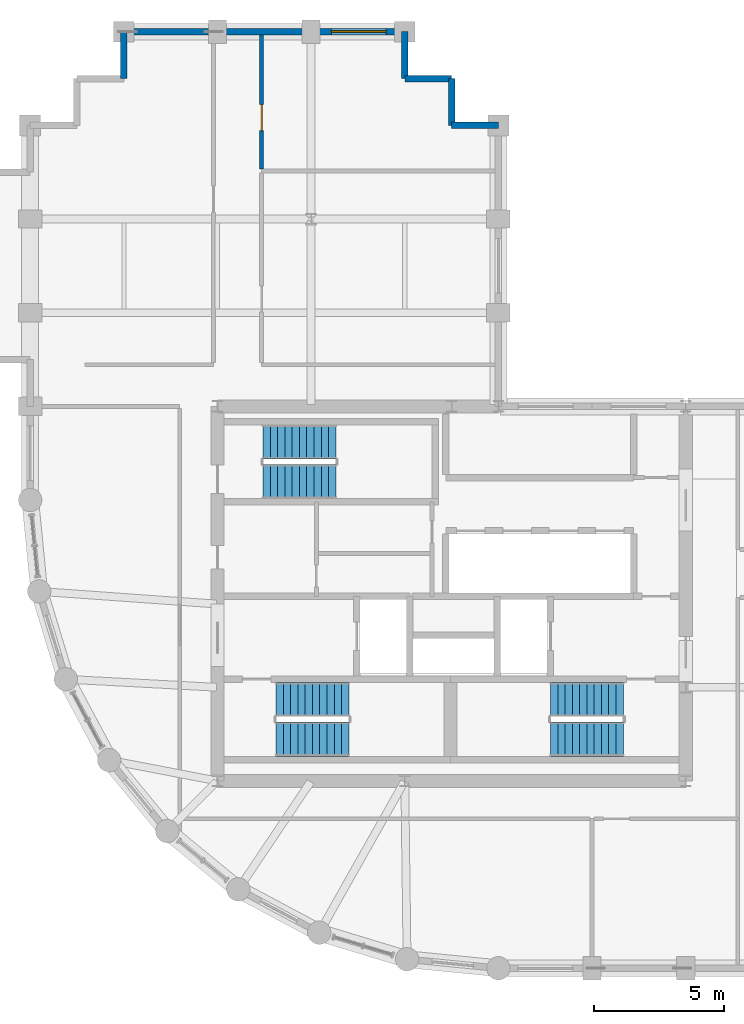
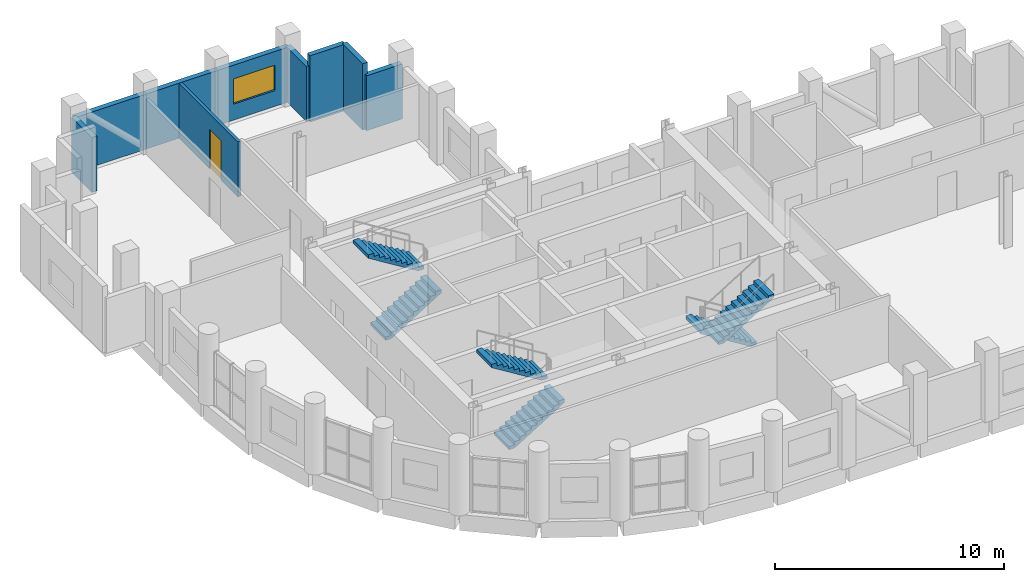
# One storey, part 11 of 12: 9 walls, 6 stair flights, 1 door, 1 window, 2 openings, 3 elements without a shape of their own.
"""IFC4 building model written with IfcOpenShell, lengths in metres."""

from ifc_helpers import new_model, si_unit, direction, frame, frame_2d, origin, place, context, subcontext, project, spatial, polyline, rectangle, outline, extrude, material, layer, layer_set, type_object, element, fill, aggregate, save


model = new_model("IFC4")

# Units and contexts
model_context = context("Model", 3, precision=1e-05, world=origin(), true_north=direction((0.0, 1.0)))
body_context = subcontext(model_context, "Body", "Model", "MODEL_VIEW")
ifc_project = project(units=[si_unit("LENGTHUNIT", "METRE"), si_unit("AREAUNIT", "SQUARE_METRE"), si_unit("VOLUMEUNIT", "CUBIC_METRE"), si_unit("PLANEANGLEUNIT", "RADIAN"), si_unit("MASSUNIT", "GRAM", prefix="KILO")], contexts=[model_context])

# Site, building, storey
site_placement = place(None, origin())
site = spatial("IfcSite", under=ifc_project, at=site_placement, CompositionType="ELEMENT")
building_placement = place(site_placement, origin())
building = spatial("IfcBuilding", under=site, at=building_placement, Name="Solnavia Interchange Tower", CompositionType="ELEMENT")
storey_placement = place(building_placement, frame((0.0, 0.0, 193.800048828125)))
storey = spatial("IfcBuildingStorey", under=building, at=storey_placement, Name="L48", CompositionType="ELEMENT", Elevation=193.800048828125)

# Walls
ifc_material_1 = material(Name="Concrete C40/50", Category="concrete")
ifc_layer_1 = layer(ifc_material_1, 0.25)
ifc_layer_set_1 = layer_set([ifc_layer_1], Name="Concrete C40/50")
wall_type_1 = type_object("IfcWallType", Name="Wall-ExtSpandrel-250", PredefinedType="STANDARD", material=ifc_layer_set_1)
wall_1_placement = place(storey_placement, frame((23.39990234375, 36.0, 0.0), z_axis=(0.0, 0.0, 1.0), x_axis=(1.0, 0.0, 0.0)))
element("IfcWall", 1, at=wall_1_placement, inside=storey, type_object=wall_type_1, Name="EXW-L48-28 Exterior precast spandrel wall", PredefinedType="STANDARD", context=body_context, shape_type="SweptSolid", body=[
    extrude(rectangle(XDim=1.800048828125, YDim=0.25, at=frame_2d((0.89990234375, 0.0))), origin(), (0.0, 0.0, 1.0), 2.929931640625),
])
wall_2_placement = place(storey_placement, frame((23.39990234375, 36.0, 0.0), z_axis=(0.0, 0.0, 1.0), x_axis=(0.0, 1.0, 0.0)))
element("IfcWall", 2, at=wall_2_placement, inside=storey, type_object=wall_type_1, Name="EXW-L48-29 Exterior precast spandrel wall", PredefinedType="STANDARD", context=body_context, shape_type="SweptSolid", body=[
    extrude(rectangle(XDim=1.800048828125, YDim=0.25, at=frame_2d((0.89990234375, 0.0))), origin(), (0.0, 0.0, 1.0), 3.534912109375),
])
wall_3_placement = place(storey_placement, frame((21.60009765625, 37.800048828125, 0.0), z_axis=(0.0, 0.0, 1.0), x_axis=(1.0, 0.0, 0.0)))
element("IfcWall", 3, at=wall_3_placement, inside=storey, type_object=wall_type_1, Name="EXW-L48-30 Exterior precast spandrel wall", PredefinedType="STANDARD", context=body_context, shape_type="SweptSolid", body=[
    extrude(rectangle(XDim=1.7998046875, YDim=0.25, at=frame_2d((0.89990234375, 0.0))), origin(), (0.0, 0.0, 1.0), 3.534912109375),
])
wall_4_placement = place(storey_placement, frame((21.60009765625, 37.800048828125, 0.0), z_axis=(0.0, 0.0, 1.0), x_axis=(0.0, 1.0, 0.0)))
element("IfcWall", 4, at=wall_4_placement, inside=storey, type_object=wall_type_1, Name="EXW-L48-31 Exterior precast spandrel wall", PredefinedType="STANDARD", context=body_context, shape_type="SweptSolid", body=[
    extrude(rectangle(XDim=1.800048828125, YDim=0.25, at=frame_2d((0.89990234375, 0.0))), origin(), (0.0, 0.0, 1.0), 2.929931640625),
])

# Wall, opening, window
wall_5_placement = place(storey_placement, frame((18.0, 39.60009765625, 0.0), z_axis=(0.0, 0.0, 1.0), x_axis=(1.0, 0.0, 0.0)))
wall_5 = element("IfcWall", 5, at=wall_5_placement, inside=storey, type_object=wall_type_1, Name="EXW-L48-32 Exterior precast spandrel wall", PredefinedType="STANDARD", context=body_context, shape_type="SweptSolid", body=[
    extrude(rectangle(XDim=3.60009765625, YDim=0.25, at=frame_2d((1.800048828125, 0.0))), origin(), (0.0, 0.0, 1.0), 2.929931640625),
])
opening_1_placement = place(wall_5_placement, frame((0.77490234375, 0.0, 0.85009765625)))
opening_1 = element("IfcOpeningElement", 6, at=opening_1_placement, cuts=wall_5, Name="Opening WIN-01", PredefinedType="OPENING", context=body_context, shape_type="SweptSolid", body=[
    extrude(rectangle(XDim=2.10009765625, YDim=1.35009765625, at=frame_2d((1.050048828125, 0.675048828125))), frame((0.0, 0.135009765625, 0.0), z_axis=(0.0, -1.0, 0.0), x_axis=(1.0, 0.0, 0.0)), (0.0, 0.0, 1.0), 0.27001953125),
])
ifc_material_2 = material(Name="Thermal-Break Aluminium & Low-E Glass", Category="aluminium")
window_type = type_object("IfcWindowType", Name="Window-Ribbon-2100x1350", PartitioningType="SINGLE_PANEL", PredefinedType="WINDOW", material=ifc_material_2)
window_placement = place(opening_1_placement, origin())
window = element("IfcWindow", 7, at=window_placement, inside=storey, type_object=window_type, Name="WIN-L48-32 Facade ribbon window", OverallHeight=1.35009765625, OverallWidth=2.10009765625, PartitioningType="SINGLE_PANEL", PredefinedType="WINDOW", context=body_context, shape_type="SweptSolid", body=[
    extrude(rectangle(XDim=2.10009765625, YDim=1.35009765625, at=frame_2d((1.050048828125, 0.675048828125))), frame((0.0, 0.030029296875, 0.0), z_axis=(0.0, -1.0, 0.0), x_axis=(1.0, 0.0, 0.0)), (0.0, 0.0, 1.0), 0.06005859375),
])
fill(opening_1, window)

# Walls
wall_6_placement = place(storey_placement, frame((14.39990234375, 39.60009765625, 0.0), z_axis=(0.0, 0.0, 1.0), x_axis=(1.0, 0.0, 0.0)))
element("IfcWall", 8, at=wall_6_placement, inside=storey, type_object=wall_type_1, Name="EXW-L48-33 Exterior precast spandrel wall", PredefinedType="STANDARD", context=body_context, shape_type="SweptSolid", body=[
    extrude(rectangle(XDim=3.60009765625, YDim=0.25, at=frame_2d((1.800048828125, 0.0))), origin(), (0.0, 0.0, 1.0), 2.929931640625),
])
wall_7_placement = place(storey_placement, frame((10.800048828125, 39.60009765625, 0.0), z_axis=(0.0, 0.0, 1.0), x_axis=(1.0, 0.0, 0.0)))
element("IfcWall", 9, at=wall_7_placement, inside=storey, type_object=wall_type_1, Name="EXW-L48-34 Exterior precast spandrel wall", PredefinedType="STANDARD", context=body_context, shape_type="SweptSolid", body=[
    extrude(rectangle(XDim=3.599853515625, YDim=0.25, at=frame_2d((1.7998046875, 0.0))), origin(), (0.0, 0.0, 1.0), 2.929931640625),
])
wall_8_placement = place(storey_placement, frame((10.800048828125, 37.800048828125, 0.0), z_axis=(0.0, 0.0, 1.0), x_axis=(0.0, 1.0, 0.0)))
element("IfcWall", 10, at=wall_8_placement, inside=storey, type_object=wall_type_1, Name="EXW-L48-35 Exterior precast spandrel wall", PredefinedType="STANDARD", context=body_context, shape_type="SweptSolid", body=[
    extrude(rectangle(XDim=1.800048828125, YDim=0.25, at=frame_2d((0.89990234375, 0.0))), origin(), (0.0, 0.0, 1.0), 2.929931640625),
])

# Wall, opening, door
ifc_material_3 = material(Name="Gypsum Plasterboard & Steel Stud", Category="steel")
ifc_layer_2 = layer(ifc_material_3, 0.14990234375)
ifc_layer_set_2 = layer_set([ifc_layer_2], Name="Gypsum Plasterboard & Steel Stud")
wall_type_2 = type_object("IfcWallType", Name="Wall-Partition-150", PredefinedType="PARTITIONING", material=ifc_layer_set_2)
wall_9_placement = place(storey_placement, frame((16.10009765625, 34.3291015625, 0.0), z_axis=(0.0, 0.0, 1.0), x_axis=(0.0, 1.0, 0.0)))
wall_9 = element("IfcWall", 11, at=wall_9_placement, inside=storey, type_object=wall_type_2, Name="PTW-L48-22 Interior partition wall", PredefinedType="PARTITIONING", context=body_context, shape_type="SweptSolid", body=[
    extrude(rectangle(XDim=5.141845703125, YDim=0.14990234375, at=frame_2d((2.57080078125, 0.0))), origin(), (0.0, 0.0, 1.0), 2.929931640625),
])
opening_2_placement = place(wall_9_placement, frame((1.465087890625, 0.0, 0.0)))
opening_2 = element("IfcOpeningElement", 12, at=opening_2_placement, cuts=wall_9, Name="Opening DR-07", PredefinedType="OPENING", context=body_context, shape_type="SweptSolid", body=[
    extrude(rectangle(XDim=1.0, YDim=2.10009765625, at=frame_2d((0.5, 1.050048828125))), frame((0.0, 0.0849609375, 0.0), z_axis=(0.0, -1.0, 0.0), x_axis=(1.0, 0.0, 0.0)), (0.0, 0.0, 1.0), 0.169921875),
])
ifc_material_4 = material(Name="Timber & Acoustic Glazed Office Door", Category="wood")
door_type = type_object("IfcDoorType", Name="Door-Office-1000x2100", OperationType="SINGLE_SWING_RIGHT", PredefinedType="DOOR", material=ifc_material_4)
door_placement = place(opening_2_placement, origin())
door = element("IfcDoor", 13, at=door_placement, inside=storey, type_object=door_type, Name="DR-L48-10 Interior room door", OperationType="SINGLE_SWING_LEFT", OverallHeight=2.10009765625, OverallWidth=1.0, PredefinedType="DOOR", context=body_context, shape_type="SweptSolid", body=[
    extrude(rectangle(XDim=1.0, YDim=2.10009765625, at=frame_2d((0.5, 1.050048828125))), frame((0.0, 0.02490234375, 0.0), z_axis=(0.0, -1.0, 0.0), x_axis=(1.0, 0.0, 0.0)), (0.0, 0.0, 1.0), 0.050048828125),
])
fill(opening_2, door)

# Stair, stair flights
stair_type = type_object("IfcStairType", Name="Stair-Dogleg-RC", PredefinedType="HALF_TURN_STAIR", material=ifc_material_1)
stair_1_placement = place(storey_placement, origin())
stair_1 = element("IfcStair", 14, at=stair_1_placement, inside=storey, type_object=stair_type, Name="L48 Core exit stair 1", PredefinedType="HALF_TURN_STAIR")
stair_flight_type = type_object("IfcStairFlightType", Name="StairFlight-RC-150", PredefinedType="STRAIGHT", material=ifc_material_1)
stair_flight_1_placement = place(storey_placement, frame((16.64990234375, 12.409912109375, 0.0), z_axis=(0.0, 0.0, 1.0), x_axis=(1.0, 0.0, 0.0)))
stair_flight_1 = element("IfcStairFlight", 15, at=stair_flight_1_placement, type_object=stair_flight_type, Name="ST-1 flight 1", NumberOfRisers=11, NumberOfTreads=10, PredefinedType="STRAIGHT", RiserHeight=0.172727273, TreadLength=0.28, context=body_context, shape_type="SweptSolid", body=[
    extrude(outline(polyline([(0.0, 0.0), (0.0, 0.172607421875), (0.280029296875, 0.172607421875), (0.280029296875, 0.345458984375), (0.56005859375, 0.345458984375), (0.56005859375, 0.51806640625), (0.840087890625, 0.51806640625), (0.840087890625, 0.69091796875), (1.1201171875, 0.69091796875), (1.1201171875, 0.863525390625), (1.39990234375, 0.863525390625), (1.39990234375, 1.036376953125), (1.679931640625, 1.036376953125), (1.679931640625, 1.208984375), (1.9599609375, 1.208984375), (1.9599609375, 1.3818359375), (2.239990234375, 1.3818359375), (2.239990234375, 1.554443359375), (2.52001953125, 1.554443359375), (2.52001953125, 1.727294921875), (2.800048828125, 1.727294921875), (2.800048828125, 1.89990234375), (2.800048828125, 1.551025390625), (0.285400390625, 0.0), (0.0, 0.0)])), frame((0.0, 0.66015625, 0.0), z_axis=(0.0, -1.0, 0.0), x_axis=(1.0, 0.0, 0.0)), (0.0, 0.0, 1.0), 1.320068359375),
])
stair_flight_2_placement = place(storey_placement, frame((19.449951171875, 13.929931640625, 1.89990234375), z_axis=(0.0, 0.0, 1.0), x_axis=(-1.0, 0.0, 0.0)))
stair_flight_2 = element("IfcStairFlight", 16, at=stair_flight_2_placement, type_object=stair_flight_type, Name="ST-1 flight 2", NumberOfRisers=11, NumberOfTreads=10, PredefinedType="STRAIGHT", RiserHeight=0.172727273, TreadLength=0.28, context=body_context, shape_type="SweptSolid", body=[
    extrude(outline(polyline([(0.0, 0.0), (0.0, 0.172607421875), (0.280029296875, 0.172607421875), (0.280029296875, 0.345458984375), (0.56005859375, 0.345458984375), (0.56005859375, 0.51806640625), (0.840087890625, 0.51806640625), (0.840087890625, 0.69091796875), (1.1201171875, 0.69091796875), (1.1201171875, 0.863525390625), (1.39990234375, 0.863525390625), (1.39990234375, 1.036376953125), (1.679931640625, 1.036376953125), (1.679931640625, 1.208984375), (1.9599609375, 1.208984375), (1.9599609375, 1.3818359375), (2.239990234375, 1.3818359375), (2.239990234375, 1.554443359375), (2.52001953125, 1.554443359375), (2.52001953125, 1.727294921875), (2.800048828125, 1.727294921875), (2.800048828125, 1.89990234375), (2.800048828125, 1.551025390625), (0.285400390625, 0.0), (0.0, 0.0)])), frame((0.0, 0.66015625, 0.0), z_axis=(0.0, -1.0, 0.0), x_axis=(1.0, 0.0, 0.0)), (0.0, 0.0, 1.0), 1.320068359375),
])
aggregate(stair_1, [stair_flight_1, stair_flight_2])

stair_2_placement = place(storey_placement, origin())
stair_2 = element("IfcStair", 17, at=stair_2_placement, inside=storey, type_object=stair_type, Name="L48 Core exit stair 2", PredefinedType="HALF_TURN_STAIR")
stair_flight_3_placement = place(storey_placement, frame((30.0, 13.929931640625, 0.0), z_axis=(0.0, 0.0, 1.0), x_axis=(-1.0, 0.0, 0.0)))
stair_flight_3 = element("IfcStairFlight", 18, at=stair_flight_3_placement, type_object=stair_flight_type, Name="ST-2 flight 1", NumberOfRisers=11, NumberOfTreads=10, PredefinedType="STRAIGHT", RiserHeight=0.172727273, TreadLength=0.28, context=body_context, shape_type="SweptSolid", body=[
    extrude(outline(polyline([(0.0, 0.0), (0.0, 0.172607421875), (0.280029296875, 0.172607421875), (0.280029296875, 0.345458984375), (0.56005859375, 0.345458984375), (0.56005859375, 0.51806640625), (0.840087890625, 0.51806640625), (0.840087890625, 0.69091796875), (1.1201171875, 0.69091796875), (1.1201171875, 0.863525390625), (1.39990234375, 0.863525390625), (1.39990234375, 1.036376953125), (1.679931640625, 1.036376953125), (1.679931640625, 1.208984375), (1.9599609375, 1.208984375), (1.9599609375, 1.3818359375), (2.239990234375, 1.3818359375), (2.239990234375, 1.554443359375), (2.52001953125, 1.554443359375), (2.52001953125, 1.727294921875), (2.800048828125, 1.727294921875), (2.800048828125, 1.89990234375), (2.800048828125, 1.551025390625), (0.285400390625, 0.0), (0.0, 0.0)])), frame((0.0, 0.66015625, 0.0), z_axis=(0.0, -1.0, 0.0), x_axis=(1.0, 0.0, 0.0)), (0.0, 0.0, 1.0), 1.320068359375),
])
stair_flight_4_placement = place(storey_placement, frame((27.199951171875, 12.409912109375, 1.89990234375), z_axis=(0.0, 0.0, 1.0), x_axis=(1.0, 0.0, 0.0)))
stair_flight_4 = element("IfcStairFlight", 19, at=stair_flight_4_placement, type_object=stair_flight_type, Name="ST-2 flight 2", NumberOfRisers=11, NumberOfTreads=10, PredefinedType="STRAIGHT", RiserHeight=0.172727273, TreadLength=0.28, context=body_context, shape_type="SweptSolid", body=[
    extrude(outline(polyline([(0.0, 0.0), (0.0, 0.172607421875), (0.280029296875, 0.172607421875), (0.280029296875, 0.345458984375), (0.56005859375, 0.345458984375), (0.56005859375, 0.51806640625), (0.840087890625, 0.51806640625), (0.840087890625, 0.69091796875), (1.1201171875, 0.69091796875), (1.1201171875, 0.863525390625), (1.39990234375, 0.863525390625), (1.39990234375, 1.036376953125), (1.679931640625, 1.036376953125), (1.679931640625, 1.208984375), (1.9599609375, 1.208984375), (1.9599609375, 1.3818359375), (2.239990234375, 1.3818359375), (2.239990234375, 1.554443359375), (2.52001953125, 1.554443359375), (2.52001953125, 1.727294921875), (2.800048828125, 1.727294921875), (2.800048828125, 1.89990234375), (2.800048828125, 1.551025390625), (0.285400390625, 0.0), (0.0, 0.0)])), frame((0.0, 0.66015625, 0.0), z_axis=(0.0, -1.0, 0.0), x_axis=(1.0, 0.0, 0.0)), (0.0, 0.0, 1.0), 1.320068359375),
])
aggregate(stair_2, [stair_flight_3, stair_flight_4])

stair_3_placement = place(storey_placement, origin())
stair_3 = element("IfcStair", 20, at=stair_3_placement, inside=storey, type_object=stair_type, Name="L48 Core exit stair 3", PredefinedType="HALF_TURN_STAIR")
stair_flight_5_placement = place(storey_placement, frame((16.14990234375, 22.31005859375, 0.0), z_axis=(0.0, 0.0, 1.0), x_axis=(1.0, 0.0, 0.0)))
stair_flight_5 = element("IfcStairFlight", 21, at=stair_flight_5_placement, type_object=stair_flight_type, Name="ST-3 flight 1", NumberOfRisers=11, NumberOfTreads=10, PredefinedType="STRAIGHT", RiserHeight=0.172727273, TreadLength=0.28, context=body_context, shape_type="SweptSolid", body=[
    extrude(outline(polyline([(0.0, 0.0), (0.0, 0.172607421875), (0.280029296875, 0.172607421875), (0.280029296875, 0.345458984375), (0.56005859375, 0.345458984375), (0.56005859375, 0.51806640625), (0.840087890625, 0.51806640625), (0.840087890625, 0.69091796875), (1.1201171875, 0.69091796875), (1.1201171875, 0.863525390625), (1.39990234375, 0.863525390625), (1.39990234375, 1.036376953125), (1.679931640625, 1.036376953125), (1.679931640625, 1.208984375), (1.9599609375, 1.208984375), (1.9599609375, 1.3818359375), (2.239990234375, 1.3818359375), (2.239990234375, 1.554443359375), (2.52001953125, 1.554443359375), (2.52001953125, 1.727294921875), (2.800048828125, 1.727294921875), (2.800048828125, 1.89990234375), (2.800048828125, 1.551025390625), (0.285400390625, 0.0), (0.0, 0.0)])), frame((0.0, 0.66015625, 0.0), z_axis=(0.0, -1.0, 0.0), x_axis=(1.0, 0.0, 0.0)), (0.0, 0.0, 1.0), 1.320068359375),
])
stair_flight_6_placement = place(storey_placement, frame((18.949951171875, 23.830078125, 1.89990234375), z_axis=(0.0, 0.0, 1.0), x_axis=(-1.0, 0.0, 0.0)))
stair_flight_6 = element("IfcStairFlight", 22, at=stair_flight_6_placement, type_object=stair_flight_type, Name="ST-3 flight 2", NumberOfRisers=11, NumberOfTreads=10, PredefinedType="STRAIGHT", RiserHeight=0.172727273, TreadLength=0.28, context=body_context, shape_type="SweptSolid", body=[
    extrude(outline(polyline([(0.0, 0.0), (0.0, 0.172607421875), (0.280029296875, 0.172607421875), (0.280029296875, 0.345458984375), (0.56005859375, 0.345458984375), (0.56005859375, 0.51806640625), (0.840087890625, 0.51806640625), (0.840087890625, 0.69091796875), (1.1201171875, 0.69091796875), (1.1201171875, 0.863525390625), (1.39990234375, 0.863525390625), (1.39990234375, 1.036376953125), (1.679931640625, 1.036376953125), (1.679931640625, 1.208984375), (1.9599609375, 1.208984375), (1.9599609375, 1.3818359375), (2.239990234375, 1.3818359375), (2.239990234375, 1.554443359375), (2.52001953125, 1.554443359375), (2.52001953125, 1.727294921875), (2.800048828125, 1.727294921875), (2.800048828125, 1.89990234375), (2.800048828125, 1.551025390625), (0.285400390625, 0.0), (0.0, 0.0)])), frame((0.0, 0.66015625, 0.0), z_axis=(0.0, -1.0, 0.0), x_axis=(1.0, 0.0, 0.0)), (0.0, 0.0, 1.0), 1.320068359375),
])
aggregate(stair_3, [stair_flight_5, stair_flight_6])

save(model, "model.ifc")
